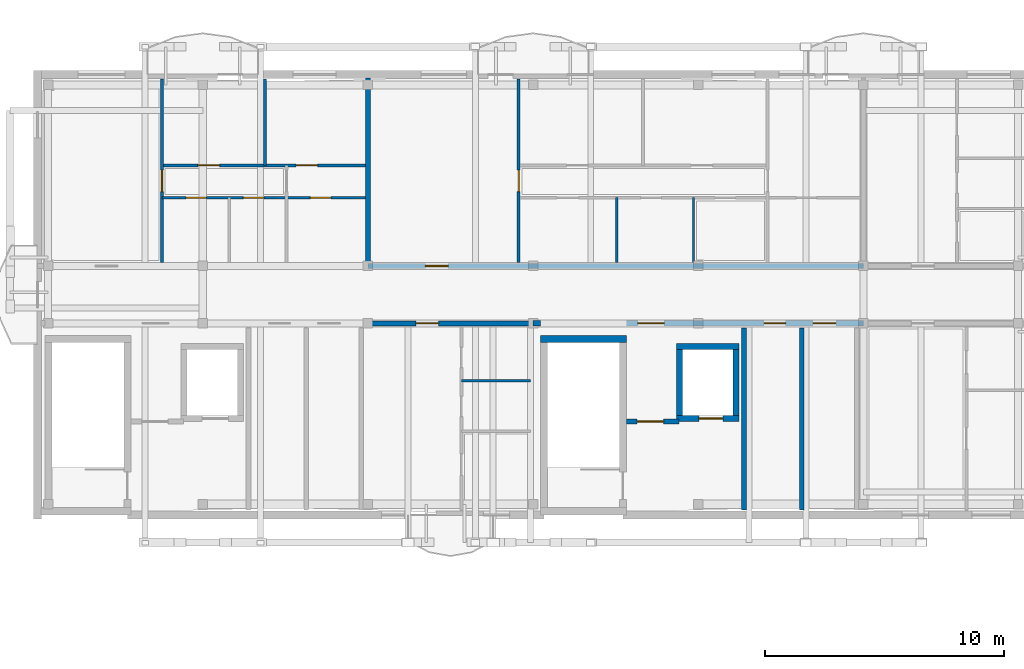
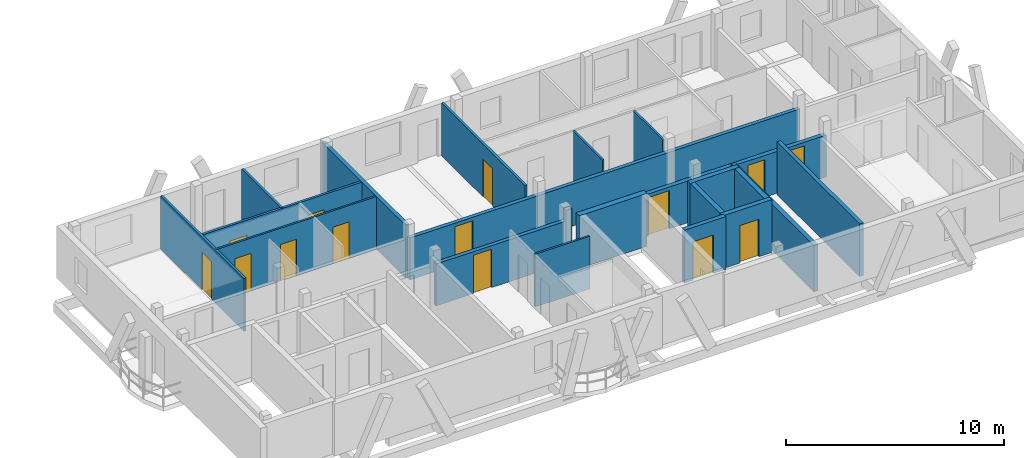
# One storey, part 19 of 29: 21 walls, 14 doors, 14 openings.
"""IFC4 building model written with IfcOpenShell, lengths in metres."""

from ifc_helpers import new_model, si_unit, direction, frame, frame_2d, origin, origin_with_axes, place, context, subcontext, project, spatial, rectangle, extrude, material, layer, layer_set, type_object, element, fill, save


model = new_model("IFC4")

# Units and contexts
model_context = context("Model", 3, precision=1e-05, world=origin(), true_north=direction((0.0, 1.0)))
body_context = subcontext(model_context, "Body", "Model", "MODEL_VIEW")
ifc_project = project(units=[si_unit("LENGTHUNIT", "METRE"), si_unit("AREAUNIT", "SQUARE_METRE"), si_unit("VOLUMEUNIT", "CUBIC_METRE"), si_unit("PLANEANGLEUNIT", "RADIAN"), si_unit("MASSUNIT", "GRAM", prefix="KILO")], contexts=[model_context])

# Site, building, storey
site_placement = place(None, origin())
site = spatial("IfcSite", under=ifc_project, at=site_placement, CompositionType="ELEMENT")
building_placement = place(site_placement, origin())
building = spatial("IfcBuilding", under=site, at=building_placement, Name="Zavelmont Quarter", CompositionType="ELEMENT")
storey_placement = place(building_placement, frame((0.0, 0.0, 33.60009765625)))
storey = spatial("IfcBuildingStorey", under=building, at=storey_placement, Name="L10", CompositionType="ELEMENT", Elevation=33.60009765625)

# Walls
ifc_material_1 = material(Name="Calcium-silicate blockwork and acoustic plaster", Category="masonry")
ifc_layer_1 = layer(ifc_material_1, 0.199951171875)
ifc_layer_set_1 = layer_set([ifc_layer_1], Name="Calcium-silicate blockwork and acoustic plaster")
wall_type_1 = type_object("IfcWallType", Name="IW01", PredefinedType="PARTITIONING", material=ifc_layer_set_1)
wall_1_placement = place(storey_placement, frame((158.52490234375, 97.800048828125, 0.0), z_axis=(0.0, 0.0, 1.0), x_axis=(0.0, 1.0, 0.0)))
element("IfcWall", 1, at=wall_1_placement, inside=storey, type_object=wall_type_1, Name="L10 Service riser divider wall IW01", PredefinedType="PARTITIONING", context=body_context, shape_type="SweptSolid", body=[
    extrude(rectangle(XDim=7.599853515625, YDim=0.199951171875, at=frame_2d((3.7998046875, 0.0))), origin(), (0.0, 0.0, 1.0), 2.9599609375),
])
wall_2_placement = place(storey_placement, frame((140.39990234375, 108.14990234375, 0.0), z_axis=(0.0, 0.0, 1.0), x_axis=(0.0, 1.0, 0.0)))
element("IfcWall", 2, at=wall_2_placement, inside=storey, type_object=wall_type_1, Name="L10 Inter-dwelling compartment wall IW01", PredefinedType="PARTITIONING", context=body_context, shape_type="SweptSolid", body=[
    extrude(rectangle(XDim=7.7001953125, YDim=0.199951171875, at=frame_2d((3.85009765625, 0.0))), origin(), (0.0, 0.0, 1.0), 2.9599609375),
])

# Wall, opening, door
wall_3_placement = place(storey_placement, frame((140.39990234375, 108.0, 0.0), z_axis=(0.0, 0.0, 1.0), x_axis=(1.0, 0.0, 0.0)))
wall_3 = element("IfcWall", 3, at=wall_3_placement, inside=storey, type_object=wall_type_1, Name="L10 Corridor compartment wall IW01", PredefinedType="PARTITIONING", context=body_context, shape_type="SweptSolid", body=[
    extrude(rectangle(XDim=20.7001953125, YDim=0.199951171875, at=frame_2d((10.35009765625, 0.0))), origin(), (0.0, 0.0, 1.0), 2.349853515625),
])
opening_1_placement = place(wall_3_placement, frame((2.39990234375, 0.0, 0.0)))
opening_1 = element("IfcOpeningElement", 4, at=opening_1_placement, cuts=wall_3, Name="Opening DR02", PredefinedType="OPENING", context=body_context, shape_type="SweptSolid", body=[
    extrude(rectangle(XDim=0.949951171875, YDim=2.14990234375, at=frame_2d((0.47509765625, 1.074951171875))), frame((0.0, 0.11181640625, 0.0), z_axis=(0.0, -1.0, 0.0), x_axis=(1.0, 0.0, 0.0)), (0.0, 0.0, 1.0), 0.223876953125),
])
ifc_material_2 = material(Name="Solid-core oak fire leaf in steel frame", Category="steel")
door_type_1 = type_object("IfcDoorType", Name="DR02", OperationType="NOTDEFINED", PredefinedType="DOOR", material=ifc_material_2)
door_1_placement = place(opening_1_placement, origin_with_axes())
door_1 = element("IfcDoor", 5, at=door_1_placement, inside=storey, type_object=door_type_1, Name="L10 door DR02", OperationType="SINGLE_SWING_RIGHT", OverallHeight=2.14990234375, OverallWidth=0.949951171875, PredefinedType="DOOR", context=body_context, shape_type="SweptSolid", body=[
    extrude(rectangle(XDim=0.949951171875, YDim=2.14990234375, at=frame_2d((0.47509765625, 1.074951171875))), frame((0.0, 0.02490234375, 0.0), z_axis=(0.0, -1.0, 0.0), x_axis=(1.0, 0.0, 0.0)), (0.0, 0.0, 1.0), 0.050048828125),
])
fill(opening_1, door_1)

wall_4_placement = place(storey_placement, frame((140.39990234375, 105.60009765625, 0.0), z_axis=(0.0, 0.0, 1.0), x_axis=(1.0, 0.0, 0.0)))
wall_4 = element("IfcWall", 6, at=wall_4_placement, inside=storey, type_object=wall_type_1, Name="L10 Corridor compartment wall IW01", PredefinedType="PARTITIONING", context=body_context, shape_type="SweptSolid", body=[
    extrude(rectangle(XDim=6.900146484375, YDim=0.199951171875, at=frame_2d((3.4501953125, 0.0))), origin(), (0.0, 0.0, 1.0), 2.349853515625),
])
opening_2_placement = place(wall_4_placement, frame((2.0, 0.0, 0.0)))
opening_2 = element("IfcOpeningElement", 7, at=opening_2_placement, cuts=wall_4, Name="Opening DR02", PredefinedType="OPENING", context=body_context, shape_type="SweptSolid", body=[
    extrude(rectangle(XDim=0.949951171875, YDim=2.14990234375, at=frame_2d((0.47509765625, 1.074951171875))), frame((0.0, 0.11181640625, 0.0), z_axis=(0.0, -1.0, 0.0), x_axis=(1.0, 0.0, 0.0)), (0.0, 0.0, 1.0), 0.223876953125),
])
door_2_placement = place(opening_2_placement, frame((0.949951171875, 0.0, 0.0), z_axis=(0.0, 0.0, 1.0), x_axis=(-1.0, 0.0, 0.0)))
door_2 = element("IfcDoor", 8, at=door_2_placement, inside=storey, type_object=door_type_1, Name="L10 door DR02", OperationType="SINGLE_SWING_RIGHT", OverallHeight=2.14990234375, OverallWidth=0.949951171875, PredefinedType="DOOR", context=body_context, shape_type="SweptSolid", body=[
    extrude(rectangle(XDim=0.949951171875, YDim=2.14990234375, at=frame_2d((0.47509765625, 1.074951171875))), frame((0.0, 0.02490234375, 0.0), z_axis=(0.0, -1.0, 0.0), x_axis=(1.0, 0.0, 0.0)), (0.0, 0.0, 1.0), 0.050048828125),
])
fill(opening_2, door_2)

# Wall
ifc_material_3 = material(Name="Reinforced masonry fire compartment wall", Category="masonry")
ifc_layer_2 = layer(ifc_material_3, 0.22509765625)
ifc_layer_set_2 = layer_set([ifc_layer_2], Name="Reinforced masonry fire compartment wall")
wall_type_2 = type_object("IfcWallType", Name="IW02", PredefinedType="PARTITIONING", material=ifc_layer_set_2)
wall_5_placement = place(storey_placement, frame((156.110107421875, 97.800048828125, 0.0), z_axis=(0.0, 0.0, 1.0), x_axis=(0.0, 1.0, 0.0)))
element("IfcWall", 9, at=wall_5_placement, inside=storey, type_object=wall_type_2, Name="L10 Firefighting lobby enclosure wall IW02", PredefinedType="PARTITIONING", context=body_context, shape_type="SweptSolid", body=[
    extrude(rectangle(XDim=7.599853515625, YDim=0.22509765625, at=frame_2d((3.7998046875, 0.0))), origin(), (0.0, 0.0, 1.0), 2.58984375),
])

# Wall, opening, door
wall_6_placement = place(storey_placement, frame((151.199951171875, 101.5, 0.0), z_axis=(0.0, 0.0, 1.0), x_axis=(1.0, 0.0, 0.0)))
wall_6 = element("IfcWall", 10, at=wall_6_placement, inside=storey, type_object=wall_type_2, Name="L10 Firefighting lobby threshold wall IW02", PredefinedType="PARTITIONING", context=body_context, shape_type="SweptSolid", body=[
    extrude(rectangle(XDim=2.199951171875, YDim=0.22509765625, at=frame_2d((1.10009765625, 0.0))), origin(), (0.0, 0.0, 1.0), 2.9599609375),
])
opening_3_placement = place(wall_6_placement, frame((0.449951171875, 0.0, 0.0)))
opening_3 = element("IfcOpeningElement", 11, at=opening_3_placement, cuts=wall_6, Name="Opening DR10", PredefinedType="OPENING", context=body_context, shape_type="SweptSolid", body=[
    extrude(rectangle(XDim=1.10009765625, YDim=2.14990234375, at=frame_2d((0.550048828125, 1.074951171875))), frame((0.0, 0.12451171875, 0.0), z_axis=(0.0, -1.0, 0.0), x_axis=(1.0, 0.0, 0.0)), (0.0, 0.0, 1.0), 0.2490234375),
])
ifc_material_4 = material(Name="Painted steel lobby fire door", Category="steel")
door_type_2 = type_object("IfcDoorType", Name="DR10", OperationType="NOTDEFINED", PredefinedType="DOOR", material=ifc_material_4)
door_3_placement = place(opening_3_placement, frame((1.10009765625, 0.0, 0.0), z_axis=(0.0, 0.0, 1.0), x_axis=(-1.0, 0.0, 0.0)))
door_3 = element("IfcDoor", 12, at=door_3_placement, inside=storey, type_object=door_type_2, Name="Firefighting lobby fire door", OperationType="SINGLE_SWING_LEFT", OverallHeight=2.14990234375, OverallWidth=1.10009765625, PredefinedType="DOOR", context=body_context, shape_type="SweptSolid", body=[
    extrude(rectangle(XDim=1.10009765625, YDim=2.14990234375, at=frame_2d((0.550048828125, 1.074951171875))), frame((0.0, 0.02490234375, 0.0), z_axis=(0.0, -1.0, 0.0), x_axis=(1.0, 0.0, 0.0)), (0.0, 0.0, 1.0), 0.050048828125),
])
fill(opening_3, door_3)

# Wall
wall_7_placement = place(storey_placement, frame((147.300048828125, 105.60009765625, 0.0), z_axis=(0.0, 0.0, 1.0), x_axis=(1.0, 0.0, 0.0)))
element("IfcWall", 13, at=wall_7_placement, inside=storey, type_object=wall_type_2, Name="L10 Core corridor wall IW02", PredefinedType="PARTITIONING", context=body_context, shape_type="SweptSolid", body=[
    extrude(rectangle(XDim=0.300048828125, YDim=0.22509765625, at=frame_2d((0.14990234375, 0.0))), origin(), (0.0, 0.0, 1.0), 2.9599609375),
])

# Wall, openings, doors
wall_8_placement = place(storey_placement, frame((151.199951171875, 105.60009765625, 0.0), z_axis=(0.0, 0.0, 1.0), x_axis=(1.0, 0.0, 0.0)))
wall_8 = element("IfcWall", 14, at=wall_8_placement, inside=storey, type_object=wall_type_2, Name="L10 Core corridor fire wall IW02", PredefinedType="PARTITIONING", context=body_context, shape_type="SweptSolid", body=[
    extrude(rectangle(XDim=9.900146484375, YDim=0.22509765625, at=frame_2d((4.9501953125, 0.0))), origin(), (0.0, 0.0, 1.0), 2.349853515625),
])
opening_4_placement = place(wall_8_placement, frame((0.47509765625, 0.0, 0.0)))
opening_4 = element("IfcOpeningElement", 15, at=opening_4_placement, cuts=wall_8, Name="Opening DR10", PredefinedType="OPENING", context=body_context, shape_type="SweptSolid", body=[
    extrude(rectangle(XDim=1.10009765625, YDim=2.14990234375, at=frame_2d((0.550048828125, 1.074951171875))), frame((0.0, 0.12451171875, 0.0), z_axis=(0.0, -1.0, 0.0), x_axis=(1.0, 0.0, 0.0)), (0.0, 0.0, 1.0), 0.2490234375),
])
opening_5_placement = place(wall_8_placement, frame((5.75, 0.0, 0.0)))
opening_5 = element("IfcOpeningElement", 16, at=opening_5_placement, cuts=wall_8, Name="Opening DR11", PredefinedType="OPENING", context=body_context, shape_type="SweptSolid", body=[
    extrude(rectangle(XDim=0.89990234375, YDim=2.10009765625, at=frame_2d((0.449951171875, 1.050048828125))), frame((0.0, 0.12451171875, 0.0), z_axis=(0.0, -1.0, 0.0), x_axis=(1.0, 0.0, 0.0)), (0.0, 0.0, 1.0), 0.2490234375),
])
opening_6_placement = place(wall_8_placement, frame((7.800048828125, 0.0, 0.0)))
opening_6 = element("IfcOpeningElement", 17, at=opening_6_placement, cuts=wall_8, Name="Opening DR02", PredefinedType="OPENING", context=body_context, shape_type="SweptSolid", body=[
    extrude(rectangle(XDim=0.949951171875, YDim=2.14990234375, at=frame_2d((0.47509765625, 1.074951171875))), frame((0.0, 0.12451171875, 0.0), z_axis=(0.0, -1.0, 0.0), x_axis=(1.0, 0.0, 0.0)), (0.0, 0.0, 1.0), 0.2490234375),
])
door_4_placement = place(opening_6_placement, origin_with_axes())
door_4 = element("IfcDoor", 18, at=door_4_placement, inside=storey, type_object=door_type_1, Name="Auxiliary store corridor door", OperationType="SINGLE_SWING_RIGHT", OverallHeight=2.14990234375, OverallWidth=0.949951171875, PredefinedType="DOOR", context=body_context, shape_type="SweptSolid", body=[
    extrude(rectangle(XDim=0.949951171875, YDim=2.14990234375, at=frame_2d((0.47509765625, 1.074951171875))), frame((0.0, 0.02490234375, 0.0), z_axis=(0.0, -1.0, 0.0), x_axis=(1.0, 0.0, 0.0)), (0.0, 0.0, 1.0), 0.050048828125),
])
fill(opening_6, door_4)
door_5_placement = place(opening_4_placement, frame((1.10009765625, 0.0, 0.0), z_axis=(0.0, 0.0, 1.0), x_axis=(-1.0, 0.0, 0.0)))
door_5 = element("IfcDoor", 19, at=door_5_placement, inside=storey, type_object=door_type_2, Name="Core vestibule fire door", OperationType="SINGLE_SWING_RIGHT", OverallHeight=2.14990234375, OverallWidth=1.10009765625, PredefinedType="DOOR", context=body_context, shape_type="SweptSolid", body=[
    extrude(rectangle(XDim=1.10009765625, YDim=2.14990234375, at=frame_2d((0.550048828125, 1.074951171875))), frame((0.0, 0.02490234375, 0.0), z_axis=(0.0, -1.0, 0.0), x_axis=(1.0, 0.0, 0.0)), (0.0, 0.0, 1.0), 0.050048828125),
])
fill(opening_4, door_5)
ifc_material_5 = material(Name="Painted steel service-riser fire door", Category="steel")
door_type_3 = type_object("IfcDoorType", Name="DR11", OperationType="NOTDEFINED", PredefinedType="DOOR", material=ifc_material_5)
door_6_placement = place(opening_5_placement, origin_with_axes())
door_6 = element("IfcDoor", 20, at=door_6_placement, inside=storey, type_object=door_type_3, Name="Service riser fire door", OperationType="SINGLE_SWING_LEFT", OverallHeight=2.10009765625, OverallWidth=0.89990234375, PredefinedType="DOOR", context=body_context, shape_type="SweptSolid", body=[
    extrude(rectangle(XDim=0.89990234375, YDim=2.10009765625, at=frame_2d((0.449951171875, 1.050048828125))), frame((0.0, 0.02490234375, 0.0), z_axis=(0.0, -1.0, 0.0), x_axis=(1.0, 0.0, 0.0)), (0.0, 0.0, 1.0), 0.050048828125),
])
fill(opening_5, door_6)

# Wall, opening, door
ifc_material_6 = material(Name="Double gypsum board on acoustic steel stud", Category="steel")
ifc_layer_3 = layer(ifc_material_6, 0.125)
ifc_layer_set_3 = layer_set([ifc_layer_3], Name="Double gypsum board on acoustic steel stud")
wall_type_3 = type_object("IfcWallType", Name="IW03", PredefinedType="PARTITIONING", material=ifc_layer_set_3)
wall_9_placement = place(storey_placement, frame((131.800048828125, 108.14990234375, 0.0), z_axis=(0.0, 0.0, 1.0), x_axis=(0.0, 1.0, 0.0)))
wall_9 = element("IfcWall", 21, at=wall_9_placement, inside=storey, type_object=wall_type_3, Name="L10 Partition IW03", PredefinedType="PARTITIONING", context=body_context, shape_type="SweptSolid", body=[
    extrude(rectangle(XDim=7.650146484375, YDim=0.125, at=frame_2d((3.8251953125, 0.0))), origin(), (0.0, 0.0, 1.0), 2.9599609375),
])
opening_7_placement = place(wall_9_placement, frame((2.949951171875, 0.0, 0.0)))
opening_7 = element("IfcOpeningElement", 22, at=opening_7_placement, cuts=wall_9, Name="Opening DR05", PredefinedType="OPENING", context=body_context, shape_type="SweptSolid", body=[
    extrude(rectangle(XDim=0.89990234375, YDim=2.10009765625, at=frame_2d((0.449951171875, 1.050048828125))), frame((0.0, 0.074462890625, 0.0), z_axis=(0.0, -1.0, 0.0), x_axis=(1.0, 0.0, 0.0)), (0.0, 0.0, 1.0), 0.14892578125),
])
ifc_material_7 = material(Name="Engineered oak flush interior door")
door_type_4 = type_object("IfcDoorType", Name="DR05", OperationType="NOTDEFINED", PredefinedType="DOOR", material=ifc_material_7)
door_7_placement = place(opening_7_placement, frame((0.89990234375, 0.0, 0.0), z_axis=(0.0, 0.0, 1.0), x_axis=(-1.0, 0.0, 0.0)))
door_7 = element("IfcDoor", 23, at=door_7_placement, inside=storey, type_object=door_type_4, Name="L10 door DR05", OperationType="SINGLE_SWING_LEFT", OverallHeight=2.10009765625, OverallWidth=0.89990234375, PredefinedType="DOOR", context=body_context, shape_type="SweptSolid", body=[
    extrude(rectangle(XDim=0.89990234375, YDim=2.10009765625, at=frame_2d((0.449951171875, 1.050048828125))), frame((0.0, 0.02490234375, 0.0), z_axis=(0.0, -1.0, 0.0), x_axis=(1.0, 0.0, 0.0)), (0.0, 0.0, 1.0), 0.050048828125),
])
fill(opening_7, door_7)

# Wall
wall_10_placement = place(storey_placement, frame((136.10009765625, 112.199951171875, 0.0), z_axis=(0.0, 0.0, 1.0), x_axis=(0.0, 1.0, 0.0)))
element("IfcWall", 24, at=wall_10_placement, inside=storey, type_object=wall_type_3, Name="L10 Partition IW03", PredefinedType="PARTITIONING", context=body_context, shape_type="SweptSolid", body=[
    extrude(rectangle(XDim=3.60009765625, YDim=0.125, at=frame_2d((1.800048828125, 0.0))), origin(), (0.0, 0.0, 1.0), 2.9599609375),
])

# Wall, openings, doors
wall_11_placement = place(storey_placement, frame((131.800048828125, 112.199951171875, 0.0), z_axis=(0.0, 0.0, 1.0), x_axis=(1.0, 0.0, 0.0)))
wall_11 = element("IfcWall", 25, at=wall_11_placement, inside=storey, type_object=wall_type_3, Name="L10 Partition IW03", PredefinedType="PARTITIONING", context=body_context, shape_type="SweptSolid", body=[
    extrude(rectangle(XDim=8.5, YDim=0.125, at=frame_2d((4.25, 0.0))), origin(), (0.0, 0.0, 1.0), 2.9599609375),
])
opening_8_placement = place(wall_11_placement, frame((1.5, 0.0, 0.0)))
opening_8 = element("IfcOpeningElement", 26, at=opening_8_placement, cuts=wall_11, Name="Opening DR05", PredefinedType="OPENING", context=body_context, shape_type="SweptSolid", body=[
    extrude(rectangle(XDim=0.89990234375, YDim=2.10009765625, at=frame_2d((0.449951171875, 1.050048828125))), frame((0.0, 0.074462890625, 0.0), z_axis=(0.0, -1.0, 0.0), x_axis=(1.0, 0.0, 0.0)), (0.0, 0.0, 1.0), 0.14892578125),
])
opening_9_placement = place(wall_11_placement, frame((5.60009765625, 0.0, 0.0)))
opening_9 = element("IfcOpeningElement", 27, at=opening_9_placement, cuts=wall_11, Name="Opening DR05", PredefinedType="OPENING", context=body_context, shape_type="SweptSolid", body=[
    extrude(rectangle(XDim=0.89990234375, YDim=2.10009765625, at=frame_2d((0.449951171875, 1.050048828125))), frame((0.0, 0.074462890625, 0.0), z_axis=(0.0, -1.0, 0.0), x_axis=(1.0, 0.0, 0.0)), (0.0, 0.0, 1.0), 0.14892578125),
])
door_8_placement = place(opening_8_placement, origin_with_axes())
door_8 = element("IfcDoor", 28, at=door_8_placement, inside=storey, type_object=door_type_4, Name="L10 door DR05", OperationType="SINGLE_SWING_RIGHT", OverallHeight=2.10009765625, OverallWidth=0.89990234375, PredefinedType="DOOR", context=body_context, shape_type="SweptSolid", body=[
    extrude(rectangle(XDim=0.89990234375, YDim=2.10009765625, at=frame_2d((0.449951171875, 1.050048828125))), frame((0.0, 0.02490234375, 0.0), z_axis=(0.0, -1.0, 0.0), x_axis=(1.0, 0.0, 0.0)), (0.0, 0.0, 1.0), 0.050048828125),
])
fill(opening_8, door_8)
door_9_placement = place(opening_9_placement, frame((0.89990234375, 0.0, 0.0), z_axis=(0.0, 0.0, 1.0), x_axis=(-1.0, 0.0, 0.0)))
door_9 = element("IfcDoor", 29, at=door_9_placement, inside=storey, type_object=door_type_4, Name="L10 door DR05", OperationType="SINGLE_SWING_LEFT", OverallHeight=2.10009765625, OverallWidth=0.89990234375, PredefinedType="DOOR", context=body_context, shape_type="SweptSolid", body=[
    extrude(rectangle(XDim=0.89990234375, YDim=2.10009765625, at=frame_2d((0.449951171875, 1.050048828125))), frame((0.0, 0.02490234375, 0.0), z_axis=(0.0, -1.0, 0.0), x_axis=(1.0, 0.0, 0.0)), (0.0, 0.0, 1.0), 0.050048828125),
])
fill(opening_9, door_9)

# Wall, opening, door
wall_12_placement = place(storey_placement, frame((146.699951171875, 108.14990234375, 0.0), z_axis=(0.0, 0.0, 1.0), x_axis=(0.0, 1.0, 0.0)))
wall_12 = element("IfcWall", 30, at=wall_12_placement, inside=storey, type_object=wall_type_3, Name="L10 Partition IW03", PredefinedType="PARTITIONING", context=body_context, shape_type="SweptSolid", body=[
    extrude(rectangle(XDim=7.650146484375, YDim=0.125, at=frame_2d((3.8251953125, 0.0))), origin(), (0.0, 0.0, 1.0), 2.9599609375),
])
opening_10_placement = place(wall_12_placement, frame((2.949951171875, 0.0, 0.0)))
opening_10 = element("IfcOpeningElement", 31, at=opening_10_placement, cuts=wall_12, Name="Opening DR05", PredefinedType="OPENING", context=body_context, shape_type="SweptSolid", body=[
    extrude(rectangle(XDim=0.89990234375, YDim=2.10009765625, at=frame_2d((0.449951171875, 1.050048828125))), frame((0.0, 0.074462890625, 0.0), z_axis=(0.0, -1.0, 0.0), x_axis=(1.0, 0.0, 0.0)), (0.0, 0.0, 1.0), 0.14892578125),
])
door_10_placement = place(opening_10_placement, frame((0.89990234375, 0.0, 0.0), z_axis=(0.0, 0.0, 1.0), x_axis=(-1.0, 0.0, 0.0)))
door_10 = element("IfcDoor", 32, at=door_10_placement, inside=storey, type_object=door_type_4, Name="L10 door DR05", OperationType="SINGLE_SWING_RIGHT", OverallHeight=2.10009765625, OverallWidth=0.89990234375, PredefinedType="DOOR", context=body_context, shape_type="SweptSolid", body=[
    extrude(rectangle(XDim=0.89990234375, YDim=2.10009765625, at=frame_2d((0.449951171875, 1.050048828125))), frame((0.0, 0.02490234375, 0.0), z_axis=(0.0, -1.0, 0.0), x_axis=(1.0, 0.0, 0.0)), (0.0, 0.0, 1.0), 0.050048828125),
])
fill(opening_10, door_10)

# Wall, openings, doors
ifc_material_8 = material(Name="Moisture-resistant gypsum board on steel stud", Category="steel")
ifc_layer_4 = layer(ifc_material_8, 0.10009765625)
ifc_layer_set_4 = layer_set([ifc_layer_4], Name="Moisture-resistant gypsum board on steel stud")
wall_type_4 = type_object("IfcWallType", Name="IW04", PredefinedType="PARTITIONING", material=ifc_layer_set_4)
wall_13_placement = place(storey_placement, frame((131.800048828125, 110.85009765625, 0.0), z_axis=(0.0, 0.0, 1.0), x_axis=(1.0, 0.0, 0.0)))
wall_13 = element("IfcWall", 33, at=wall_13_placement, inside=storey, type_object=wall_type_4, Name="L10 Partition IW04", PredefinedType="PARTITIONING", context=body_context, shape_type="SweptSolid", body=[
    extrude(rectangle(XDim=8.5, YDim=0.10009765625, at=frame_2d((4.25, 0.0))), origin(), (0.0, 0.0, 1.0), 2.9599609375),
])
opening_11_placement = place(wall_13_placement, frame((1.0, 0.0, 0.0)))
opening_11 = element("IfcOpeningElement", 34, at=opening_11_placement, cuts=wall_13, Name="Opening DR16", PredefinedType="OPENING", context=body_context, shape_type="SweptSolid", body=[
    extrude(rectangle(XDim=0.85009765625, YDim=2.10009765625, at=frame_2d((0.425048828125, 1.050048828125))), frame((0.0, 0.06201171875, 0.0), z_axis=(0.0, -1.0, 0.0), x_axis=(1.0, 0.0, 0.0)), (0.0, 0.0, 1.0), 0.1240234375),
])
opening_12_placement = place(wall_13_placement, frame((3.39990234375, 0.0, 0.0)))
opening_12 = element("IfcOpeningElement", 35, at=opening_12_placement, cuts=wall_13, Name="Opening DR06", PredefinedType="OPENING", context=body_context, shape_type="SweptSolid", body=[
    extrude(rectangle(XDim=0.85009765625, YDim=2.050048828125, at=frame_2d((0.425048828125, 1.02490234375))), frame((0.0, 0.06201171875, 0.0), z_axis=(0.0, -1.0, 0.0), x_axis=(1.0, 0.0, 0.0)), (0.0, 0.0, 1.0), 0.1240234375),
])
opening_13_placement = place(wall_13_placement, frame((6.199951171875, 0.0, 0.0)))
opening_13 = element("IfcOpeningElement", 36, at=opening_13_placement, cuts=wall_13, Name="Opening DR06", PredefinedType="OPENING", context=body_context, shape_type="SweptSolid", body=[
    extrude(rectangle(XDim=0.85009765625, YDim=2.050048828125, at=frame_2d((0.425048828125, 1.02490234375))), frame((0.0, 0.06201171875, 0.0), z_axis=(0.0, -1.0, 0.0), x_axis=(1.0, 0.0, 0.0)), (0.0, 0.0, 1.0), 0.1240234375),
])
ifc_material_9 = material(Name="Moisture-resistant painted wet-room door")
door_type_5 = type_object("IfcDoorType", Name="DR06", OperationType="NOTDEFINED", PredefinedType="DOOR", material=ifc_material_9)
door_11_placement = place(opening_12_placement, origin_with_axes())
door_11 = element("IfcDoor", 37, at=door_11_placement, inside=storey, type_object=door_type_5, Name="L10 door DR06", OperationType="SINGLE_SWING_RIGHT", OverallHeight=2.050048828125, OverallWidth=0.85009765625, PredefinedType="DOOR", context=body_context, shape_type="SweptSolid", body=[
    extrude(rectangle(XDim=0.85009765625, YDim=2.050048828125, at=frame_2d((0.425048828125, 1.02490234375))), frame((0.0, 0.02490234375, 0.0), z_axis=(0.0, -1.0, 0.0), x_axis=(1.0, 0.0, 0.0)), (0.0, 0.0, 1.0), 0.050048828125),
])
fill(opening_12, door_11)
door_12_placement = place(opening_13_placement, frame((0.85009765625, 0.0, 0.0), z_axis=(0.0, 0.0, 1.0), x_axis=(-1.0, 0.0, 0.0)))
door_12 = element("IfcDoor", 38, at=door_12_placement, inside=storey, type_object=door_type_5, Name="L10 door DR06", OperationType="SINGLE_SWING_LEFT", OverallHeight=2.050048828125, OverallWidth=0.85009765625, PredefinedType="DOOR", context=body_context, shape_type="SweptSolid", body=[
    extrude(rectangle(XDim=0.85009765625, YDim=2.050048828125, at=frame_2d((0.425048828125, 1.02490234375))), frame((0.0, 0.02490234375, 0.0), z_axis=(0.0, -1.0, 0.0), x_axis=(1.0, 0.0, 0.0)), (0.0, 0.0, 1.0), 0.050048828125),
])
fill(opening_13, door_12)
door_type_6 = type_object("IfcDoorType", Name="DR16", OperationType="NOTDEFINED", PredefinedType="DOOR", material=ifc_material_7)
door_13_placement = place(opening_11_placement, frame((0.85009765625, 0.0, 0.0), z_axis=(0.0, 0.0, 1.0), x_axis=(-1.0, 0.0, 0.0)))
door_13 = element("IfcDoor", 39, at=door_13_placement, inside=storey, type_object=door_type_6, Name="L10 door DR16", OperationType="SINGLE_SWING_LEFT", OverallHeight=2.10009765625, OverallWidth=0.85009765625, PredefinedType="DOOR", context=body_context, shape_type="SweptSolid", body=[
    extrude(rectangle(XDim=0.85009765625, YDim=2.10009765625, at=frame_2d((0.425048828125, 1.050048828125))), frame((0.0, 0.02490234375, 0.0), z_axis=(0.0, -1.0, 0.0), x_axis=(1.0, 0.0, 0.0)), (0.0, 0.0, 1.0), 0.050048828125),
])
fill(opening_11, door_13)

# Walls
for number, where, z_axis, x_axis, name in (
    (40, (150.800048828125, 108.14990234375, 0.0), (0.0, 0.0, 1.0), (0.0, 1.0, 0.0), "L10 Partition IW04"),
    (41, (154.0, 108.14990234375, 0.0), (0.0, 0.0, 1.0), (0.0, 1.0, 0.0), "L10 Partition IW04"),
):
    element("IfcWall", number, at=place(storey_placement, frame(where, z_axis=z_axis, x_axis=x_axis)), inside=storey, type_object=wall_type_4, Name=name, PredefinedType="PARTITIONING", context=body_context, shape_type="SweptSolid", body=[
        extrude(rectangle(XDim=2.7001953125, YDim=0.10009765625, at=frame_2d((1.35009765625, 0.0))), origin(), (0.0, 0.0, 1.0), 2.9599609375),
    ])
wall_14_placement = place(storey_placement, frame((144.300048828125, 103.199951171875, 0.0), z_axis=(0.0, 0.0, 1.0), x_axis=(1.0, 0.0, 0.0)))
element("IfcWall", 42, at=wall_14_placement, inside=storey, type_object=wall_type_4, Name="L10 Partition IW04", PredefinedType="PARTITIONING", context=body_context, shape_type="SweptSolid", body=[
    extrude(rectangle(XDim=2.89990234375, YDim=0.10009765625, at=frame_2d((1.449951171875, 0.0))), origin(), (0.0, 0.0, 1.0), 2.9599609375),
])
ifc_material_10 = material(Name="Concrete C40/50", Category="concrete")
ifc_layer_5 = layer(ifc_material_10, 0.300048828125)
ifc_layer_set_5 = layer_set([ifc_layer_5], Name="Concrete C40/50")
wall_type_5 = type_object("IfcWallType", Name="SW01", PredefinedType="SHEAR", material=ifc_layer_set_5)
wall_15_placement = place(storey_placement, frame((147.60009765625, 104.949951171875, 0.0), z_axis=(0.0, 0.0, 1.0), x_axis=(1.0, 0.0, 0.0)))
element("IfcWall", 43, at=wall_15_placement, inside=storey, type_object=wall_type_5, Name="L10 ST06 corridor shear wall SW01", PredefinedType="SHEAR", context=body_context, shape_type="SweptSolid", body=[
    extrude(rectangle(XDim=3.599853515625, YDim=0.300048828125, at=frame_2d((1.7998046875, 0.0))), origin(), (0.0, 0.0, 1.0), 2.9599609375),
])

# Wall, opening, door
ifc_layer_6 = layer(ifc_material_10, 0.25)
ifc_layer_set_6 = layer_set([ifc_layer_6], Name="Concrete C40/50")
wall_type_6 = type_object("IfcWallType", Name="SW02", PredefinedType="SHEAR", material=ifc_layer_set_6)
wall_16_placement = place(storey_placement, frame((153.300048828125, 101.625, 0.0), z_axis=(0.0, 0.0, 1.0), x_axis=(1.0, 0.0, 0.0)))
wall_16 = element("IfcWall", 44, at=wall_16_placement, inside=storey, type_object=wall_type_6, Name="L10 Lift LF06 landing shaft wall SW02", PredefinedType="SHEAR", context=body_context, shape_type="SweptSolid", body=[
    extrude(rectangle(XDim=2.599853515625, YDim=0.25, at=frame_2d((1.2998046875, 0.0))), origin(), (0.0, 0.0, 1.0), 2.9599609375),
])
opening_14_placement = place(wall_16_placement, frame((0.925048828125, 0.0, 0.0)))
opening_14 = element("IfcOpeningElement", 45, at=opening_14_placement, cuts=wall_16, Name="Opening LD01", PredefinedType="OPENING", context=body_context, shape_type="SweptSolid", body=[
    extrude(rectangle(XDim=1.0, YDim=2.10009765625, at=frame_2d((0.5, 1.050048828125))), frame((0.0, 0.136962890625, 0.0), z_axis=(0.0, -1.0, 0.0), x_axis=(1.0, 0.0, 0.0)), (0.0, 0.0, 1.0), 0.27392578125),
])
ifc_material_11 = material(Name="Brushed stainless-steel automatic sliding landing door", Category="steel")
door_type_7 = type_object("IfcDoorType", Name="LD01", OperationType="SLIDING_TO_LEFT", PredefinedType="DOOR", material=ifc_material_11)
door_14_placement = place(opening_14_placement, origin_with_axes())
door_14 = element("IfcDoor", 46, at=door_14_placement, inside=storey, type_object=door_type_7, Name="Lift LF06 sliding landing door", OperationType="SLIDING_TO_LEFT", OverallHeight=2.10009765625, OverallWidth=1.0, PredefinedType="DOOR", context=body_context, shape_type="SweptSolid", body=[
    extrude(rectangle(XDim=1.0, YDim=2.10009765625, at=frame_2d((0.5, 1.050048828125))), frame((0.0, 0.02490234375, 0.0), z_axis=(0.0, -1.0, 0.0), x_axis=(1.0, 0.0, 0.0)), (0.0, 0.0, 1.0), 0.050048828125),
])
fill(opening_14, door_14)

# Walls
wall_17_placement = place(storey_placement, frame((153.300048828125, 104.625, 0.0), z_axis=(0.0, 0.0, 1.0), x_axis=(1.0, 0.0, 0.0)))
element("IfcWall", 47, at=wall_17_placement, inside=storey, type_object=wall_type_6, Name="L10 Lift LF06 back shaft wall SW02", PredefinedType="SHEAR", context=body_context, shape_type="SweptSolid", body=[
    extrude(rectangle(XDim=2.599853515625, YDim=0.25, at=frame_2d((1.2998046875, 0.0))), origin(), (0.0, 0.0, 1.0), 2.9599609375),
])
for number, where, z_axis, x_axis, name in (
    (48, (153.425048828125, 101.5, 0.0), (0.0, 0.0, 1.0), (0.0, 1.0, 0.0), "L10 Lift LF06 west shaft wall SW02"),
    (49, (155.77490234375, 101.5, 0.0), (0.0, 0.0, 1.0), (0.0, 1.0, 0.0), "L10 Lift LF06 east shaft wall SW02"),
):
    element("IfcWall", number, at=place(storey_placement, frame(where, z_axis=z_axis, x_axis=x_axis)), inside=storey, type_object=wall_type_6, Name=name, PredefinedType="SHEAR", context=body_context, shape_type="SweptSolid", body=[
        extrude(rectangle(XDim=3.25, YDim=0.25, at=frame_2d((1.625, 0.0))), origin(), (0.0, 0.0, 1.0), 2.9599609375),
    ])

save(model, "model.ifc")
